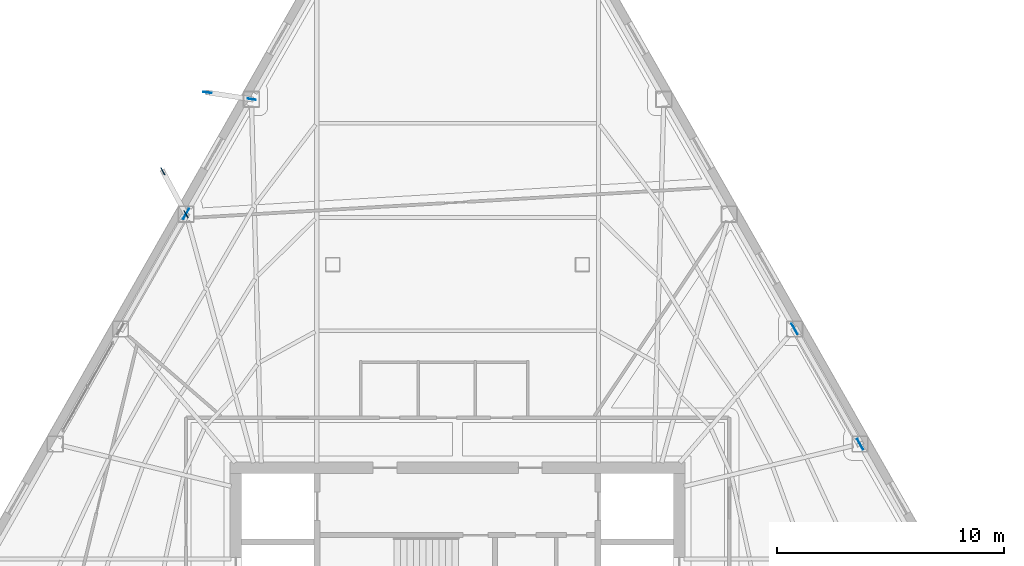
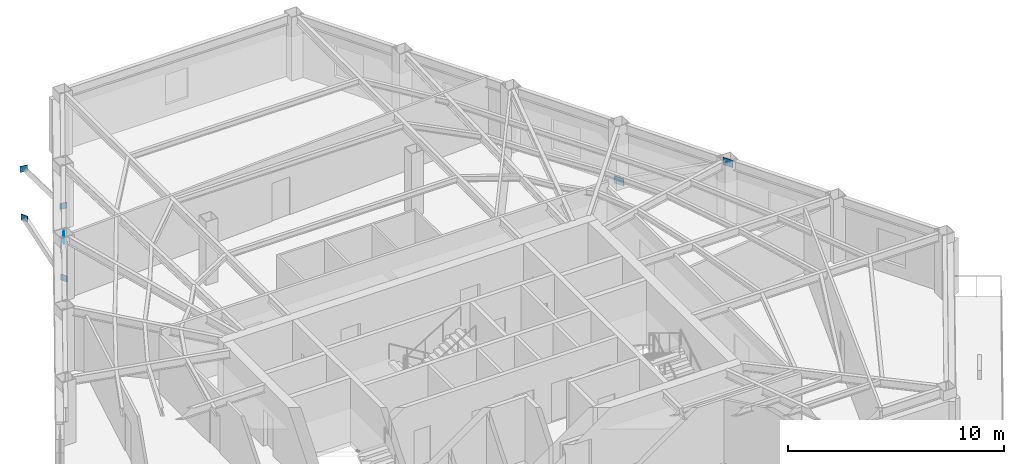
# One storey, part 6 of 12: 7 plates.
"""IFC4 building model written with IfcOpenShell, lengths in metres."""

from ifc_helpers import new_model, si_unit, direction, frame, origin, origin_2d, place, context, subcontext, project, spatial, rectangle, extrude, material, layer, layer_set, type_object, element, save


model = new_model("IFC4")

# Units and contexts
model_context = context("Model", 3, precision=1e-05, world=origin(), true_north=direction((0.0, 1.0)))
body_context = subcontext(model_context, "Body", "Model", "MODEL_VIEW")
ifc_project = project(units=[si_unit("LENGTHUNIT", "METRE"), si_unit("AREAUNIT", "SQUARE_METRE"), si_unit("VOLUMEUNIT", "CUBIC_METRE"), si_unit("PLANEANGLEUNIT", "RADIAN"), si_unit("MASSUNIT", "GRAM", prefix="KILO")], contexts=[model_context])

# Site, building, storey
site_placement = place(None, origin())
site = spatial("IfcSite", under=ifc_project, at=site_placement, CompositionType="ELEMENT")
building_placement = place(site_placement, origin())
building = spatial("IfcBuilding", under=site, at=building_placement, Name="Kavelnor Concourse Tower", CompositionType="ELEMENT")
storey_placement = place(building_placement, frame((0.0, 0.0, 93.199951171875)))
storey = spatial("IfcBuildingStorey", under=building, at=storey_placement, Name="L23", CompositionType="ELEMENT", Elevation=93.199951171875)

# Plates
ifc_material = material(Name="Steel Grade 350", Category="steel")
ifc_layer_1 = layer(ifc_material, 0.028076171875, Name="Steel Grade 350")
ifc_layer_set_1 = layer_set([ifc_layer_1], Name="Steel Grade 350")
plate_type_1 = type_object("IfcPlateType", Name="PL-GUSSET-FOLD", PredefinedType="USERDEFINED", material=ifc_layer_set_1)
for number, where, z_axis, x_axis, name in (
    (1, (28.924072265625, 39.083251953125, 0.8798828125), (0.0, 0.0, 1.0), (-0.988572951285, 0.150743225348, 0.0), "L23 Balcony Strut Gusset GP4 1-A End Gusset A"),
    (2, (26.976806640625, 39.380126953125, 3.48486328125), (0.0, 0.0, 1.0), (-0.988572951285, 0.150743225348, 0.0), "L23 Balcony Strut Gusset GP4 1-A End Gusset B"),
    (3, (26.035400390625, 34.010009765625, 0.8798828125), (0.0, 0.0, 1.0), (-0.47562420907, 0.879648572867, 0.0), "L23 Balcony Strut Gusset GP4 1-B End Gusset A"),
    (4, (25.0078125, 35.91064453125, 3.48486328125), (0.0, 0.0, 1.0), (-0.47562420907, 0.879648572867, 0.0), "L23 Balcony Strut Gusset GP4 1-B End Gusset B"),
):
    element("IfcPlate", number, at=place(storey_placement, frame(where, z_axis=z_axis, x_axis=x_axis)), inside=storey, type_object=plate_type_1, Name=name, ObjectType="GUSSET_PLATE", PredefinedType="USERDEFINED", context=body_context, shape_type="SweptSolid", body=[
        extrude(rectangle(XDim=0.360107421875, YDim=0.028076171875, at=origin_2d()), origin(), (0.0, 0.0, 1.0), 0.340087890625),
    ])
ifc_layer_2 = layer(ifc_material, 0.031982421875, Name="Steel Grade 350")
ifc_layer_set_2 = layer_set([ifc_layer_2], Name="Steel Grade 350")
plate_type_2 = type_object("IfcPlateType", Name="PL-GUSSET-TUBE-Z1", PredefinedType="USERDEFINED", material=ifc_layer_set_2)
for number, where, z_axis, x_axis, name in (
    (5, (26.03564453125, 34.031005859375, 3.12353515625), (0.0, 0.0, 1.0), (0.494700455876, 0.869063552887, 0.0), "L23 Tube Brace Gusset GP3 F0-B2 End Gusset B"),
    (6, (52.8466796875, 28.966796875, 0.010009765625), (0.0, 0.0, 1.0), (0.494700455876, -0.869063552887, 0.0), "L23 Tube Brace Gusset GP3 F2-B2 End Gusset A"),
    (7, (55.74072265625, 23.881591796875, 3.12353515625), (0.0, 0.0, 1.0), (0.494700455876, -0.869063552887, 0.0), "L23 Tube Brace Gusset GP3 F2-B2 End Gusset B"),
):
    element("IfcPlate", number, at=place(storey_placement, frame(where, z_axis=z_axis, x_axis=x_axis)), inside=storey, type_object=plate_type_2, Name=name, ObjectType="GUSSET_PLATE", PredefinedType="USERDEFINED", context=body_context, shape_type="SweptSolid", body=[
        extrude(rectangle(XDim=0.52001953125, YDim=0.031982421875, at=origin_2d()), origin(), (0.0, 0.0, 1.0), 0.419921875),
    ])

save(model, "model.ifc")
